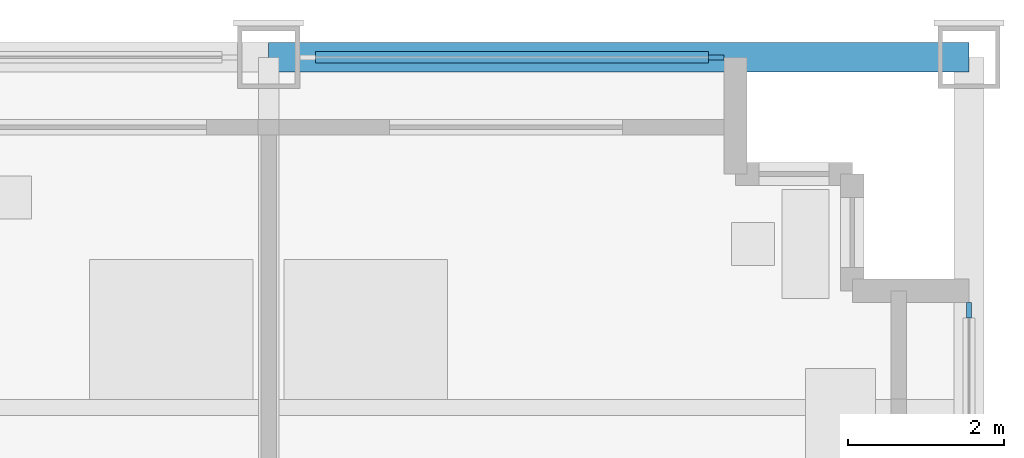
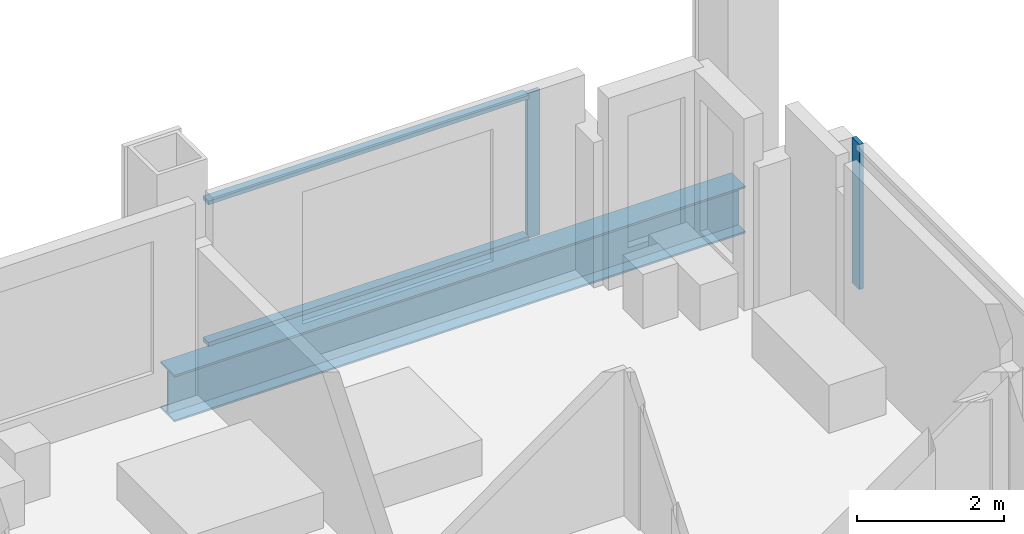
# One storey, part 7 of 16: 4 members, 1 beam, 2 elements without a shape of their own.
"""IFC4 building model written with IfcOpenShell, lengths in metres."""

import ifcopenshell
import ifcopenshell.guid

model = None  # the IFC model being written
_history = None  # IfcOwnerHistory: only IFC2X3 demands one
_inside = {}  # id of a spatial element -> (the spatial element, [elements in it])
_under = {}  # id of a project, library or spatial element -> (it, [spatial elements below it])
_declared = {}  # id of a project -> (the project, [libraries it declares])
_typed = {}  # id of a type object -> (the type object, [elements of that type])
_made_of = {}  # id of a material, layer set ... -> (it, [elements and type objects made of it])


def new_model(schema):
    """Start an empty IFC model of exactly this schema.

    Asked for "IFC4X3", IfcOpenShell would pick the latest addendum, in which some entities
    have other attributes; the version numbers below select the first issue.
    IFC2X3 requires an IfcOwnerHistory on every rooted entity: one is made here for all.
    """
    global model, _history
    if schema == "IFC4X3":
        model = ifcopenshell.file(schema_version=(4, 3, 0, 0))
    else:
        model = ifcopenshell.file(schema=schema)
    _inside.clear()
    _under.clear()
    _declared.clear()
    _typed.clear()
    _made_of.clear()
    _history = None
    if model.schema == "IFC2X3":
        org = make("IfcOrganization", Name="unknown")
        user = make(
            "IfcPersonAndOrganization",
            ThePerson=make("IfcPerson", FamilyName="unknown"),
            TheOrganization=org,
        )
        app = make(
            "IfcApplication",
            ApplicationDeveloper=org,
            Version="unknown",
            ApplicationFullName="unknown",
            ApplicationIdentifier="unknown",
        )
        _history = make(
            "IfcOwnerHistory",
            OwningUser=user,
            OwningApplication=app,
            ChangeAction="ADDED",
            CreationDate=0,
        )
    return model


def make(cls, **values):
    """One entity of the class cls with the attributes given. An attribute that is None is left unset."""
    return model.create_entity(
        cls, **{name: value for name, value in values.items() if value is not None}
    )


def rooted(cls, **values):
    """An entity with a GlobalId (a new one), such as an element, a storey or a relation."""
    return make(cls, GlobalId=ifcopenshell.guid.new(), OwnerHistory=_history, **values)


def si_unit(unit_type, name, prefix=None):
    """IfcSIUnit, for example si_unit("LENGTHUNIT", "METRE", prefix="MILLI")."""
    return make("IfcSIUnit", UnitType=unit_type, Prefix=prefix, Name=name)


def assignment(units):
    """IfcUnitAssignment: the units of a project."""
    return None if units is None else make("IfcUnitAssignment", Units=units)


def point(xyz):
    """IfcCartesianPoint."""
    return None if xyz is None else make("IfcCartesianPoint", Coordinates=xyz)


def direction(xyz):
    """IfcDirection."""
    return None if xyz is None else make("IfcDirection", DirectionRatios=xyz)


def frame(location, z_axis=None, x_axis=None):
    """IfcAxis2Placement3D, a coordinate frame: its origin and axes. An axis left out is left unset."""
    return make(
        "IfcAxis2Placement3D",
        Location=point(location),
        Axis=direction(z_axis),
        RefDirection=direction(x_axis),
    )


def frame_2d(location, x_axis=None):
    """IfcAxis2Placement2D, a coordinate frame in the plane: its origin and x axis."""
    return make(
        "IfcAxis2Placement2D", Location=point(location), RefDirection=direction(x_axis)
    )


def origin():
    """The frame at (0, 0, 0) with its axes left unset."""
    return frame((0.0, 0.0, 0.0))


def origin_2d():
    """The frame at (0, 0) in the plane with its x axis left unset."""
    return frame_2d((0.0, 0.0))


def place(relative_to, where):
    """IfcLocalPlacement: puts the frame where relative to a parent placement (None: the world)."""
    return make(
        "IfcLocalPlacement", PlacementRelTo=relative_to, RelativePlacement=where
    )


def context(
    kind, dimensions, precision=None, world=None, true_north=None, identifier=None
):
    """IfcGeometricRepresentationContext, for example the 3D "Model" context."""
    return make(
        "IfcGeometricRepresentationContext",
        ContextIdentifier=identifier,
        ContextType=kind,
        CoordinateSpaceDimension=dimensions,
        Precision=precision,
        WorldCoordinateSystem=world,
        TrueNorth=true_north,
    )


def subcontext(parent, identifier, kind, view, scale=None):
    """IfcGeometricRepresentationSubContext, for example "Body" below "Model"."""
    return make(
        "IfcGeometricRepresentationSubContext",
        ContextIdentifier=identifier,
        ContextType=kind,
        ParentContext=parent,
        TargetScale=scale,
        TargetView=view,
    )


def project(units=None, contexts=None):
    """IfcProject with its units and contexts."""
    return rooted(
        "IfcProject",
        Name="project",
        RepresentationContexts=contexts,
        UnitsInContext=assignment(units),
    )


def spatial(cls, under=None, at=None, **own):
    """A site, building, storey or space (cls), placed at a placement, below another one or the project."""
    s = rooted(cls, ObjectPlacement=at, **own)
    if under is not None:
        _under.setdefault(under.id(), (under, []))[1].append(s)
    return s


def profile(cls, at=None, kind="AREA", **sizes):
    """A parametric profile (cls). Its sizes go by their IFC names, for example OverallWidth=200.0."""
    return make(cls, ProfileType=kind, Position=at, **sizes)


def rectangle(**sizes):
    """IfcRectangleProfileDef."""
    return profile("IfcRectangleProfileDef", **sizes)


def i_section(**sizes):
    """IfcIShapeProfileDef."""
    return profile("IfcIShapeProfileDef", **sizes)


def extrude(swept, where, along, depth):
    """IfcExtrudedAreaSolid: the profile swept, set in the frame where, extruded along a direction by depth."""
    return make(
        "IfcExtrudedAreaSolid",
        SweptArea=swept,
        Position=where,
        ExtrudedDirection=direction(along),
        Depth=depth,
    )


def shape(context_of_items, identifier, shape_type, items):
    """IfcShapeRepresentation: the items that make up one representation, for example the "Body"."""
    return make(
        "IfcShapeRepresentation",
        ContextOfItems=context_of_items,
        RepresentationIdentifier=identifier,
        RepresentationType=shape_type,
        Items=items,
    )


def material(Name=None, Category=None):
    """IfcMaterial."""
    return make("IfcMaterial", Name=Name, Category=Category)


def material_profile(
    of_material, cross_section, Name=None, Category=None, Priority=None
):
    """IfcMaterialProfile: a cross section and its material."""
    return make(
        "IfcMaterialProfile",
        Name=Name,
        Material=of_material,
        Profile=cross_section,
        Priority=Priority,
        Category=Category,
    )


def profile_set(profiles, Name=None, composite=None):
    """IfcMaterialProfileSet."""
    return make(
        "IfcMaterialProfileSet",
        Name=Name,
        MaterialProfiles=profiles,
        CompositeProfile=composite,
    )


def made_of(thing, what):
    """Note that an element or type object is made of a material, layer set ...; save() writes the relation."""
    if what is not None:
        _made_of.setdefault(what.id(), (what, []))[1].append(thing)
    return thing


def type_object(cls, material=None, **own):
    """A type object (cls), such as IfcWallType, which elements share."""
    return made_of(rooted(cls, **own), material)


def element(
    cls,
    number,
    at=None,
    inside=None,
    cuts=None,
    type_object=None,
    material=None,
    context=None,
    identifier="Body",
    shape_type=None,
    held_by="IfcProductDefinitionShape",
    body=None,
    shapes=None,
    **own,
):
    """One element of the class cls, such as IfcWall. Its Tag is "e" and its number.

    at: its placement. inside: the storey or other place that contains it. cuts: it is an
    opening in that element (IfcRelVoidsElement). A single representation is given by context,
    identifier, shape_type and body (its items); several are given by shapes. held_by: the class
    of the entity that holds the representations. save() writes the other relations.
    """
    e = rooted(cls, Tag="e%d" % number, ObjectPlacement=at, **own)
    if body is not None:
        shapes = [shape(context, identifier, shape_type, body)]
    if shapes is not None:
        e.Representation = make(held_by, Representations=shapes)
    if inside is not None:
        _inside.setdefault(inside.id(), (inside, []))[1].append(e)
    if cuts is not None:
        rooted(
            "IfcRelVoidsElement", RelatingBuildingElement=cuts, RelatedOpeningElement=e
        )
    if type_object is not None:
        _typed.setdefault(type_object.id(), (type_object, []))[1].append(e)
    return made_of(e, material)


def aggregate(whole, parts):
    """IfcRelAggregates: a whole, such as a stair, and the parts it consists of."""
    return rooted("IfcRelAggregates", RelatingObject=whole, RelatedObjects=parts)


def save(model, path):
    """Write the relations noted so far, then the file.

    IfcRelAggregates (storeys below a building ...), IfcRelContainedInSpatialStructure (elements
    in a storey), IfcRelDefinesByType, IfcRelAssociatesMaterial and IfcRelDeclares: one each for
    every whole, place, type object, material and project.
    """
    for whole, parts in _under.values():
        aggregate(whole, parts)
    for where, things in _inside.values():
        rooted(
            "IfcRelContainedInSpatialStructure",
            RelatedElements=things,
            RelatingStructure=where,
        )
    for kind, things in _typed.values():
        rooted("IfcRelDefinesByType", RelatedObjects=things, RelatingType=kind)
    for what, things in _made_of.values():
        rooted("IfcRelAssociatesMaterial", RelatedObjects=things, RelatingMaterial=what)
    for by, libraries in _declared.values():
        rooted("IfcRelDeclares", RelatingContext=by, RelatedDefinitions=libraries)
    model.write(path)


model = new_model("IFC4")

# Units and contexts
model_context = context("Model", 3, precision=1e-05, world=origin(), true_north=direction((0.0, 1.0)))
body_context = subcontext(model_context, "Body", "Model", "MODEL_VIEW")
ifc_project = project(units=[si_unit("LENGTHUNIT", "METRE"), si_unit("AREAUNIT", "SQUARE_METRE"), si_unit("VOLUMEUNIT", "CUBIC_METRE"), si_unit("PLANEANGLEUNIT", "RADIAN"), si_unit("MASSUNIT", "GRAM", prefix="KILO")], contexts=[model_context])

# Site, building, storey
site_placement = place(None, origin())
site = spatial("IfcSite", under=ifc_project, at=site_placement, CompositionType="ELEMENT")
building_placement = place(site_placement, origin())
building = spatial("IfcBuilding", under=site, at=building_placement, Name="Loomwork Tower", CompositionType="ELEMENT")
storey_placement = place(building_placement, frame((0.0, 0.0, 148.60009765625)))
storey = spatial("IfcBuildingStorey", under=building, at=storey_placement, Name="L40", CompositionType="ELEMENT", Elevation=148.60009765625)

# Curtain wall, member
ifc_material_1 = material(Name="Aluminium curtain wall frame", Category="aluminium")
curtain_wall_type = type_object("IfcCurtainWallType", Name="Outer skin glazing hotel", PredefinedType="NOTDEFINED", material=ifc_material_1)
curtain_wall_1_placement = place(storey_placement, origin())
curtain_wall_1 = element("IfcCurtainWall", 1, at=curtain_wall_1_placement, inside=storey, type_object=curtain_wall_type, Name="Outer skin glazing hotel cw/N-36", PredefinedType="NOTDEFINED")
ifc_material_2 = material(Name="Aluminium curtain wall frame", Category="aluminium")
ifc_material_profile_1 = material_profile(ifc_material_2, rectangle(XDim=0.06494140625, YDim=0.199951171875, at=origin_2d()), Name="AL 65x200")
ifc_profile_set_1 = profile_set([ifc_material_profile_1], Name="Aluminium curtain wall frame")
member_type_1 = type_object("IfcMemberType", Name="Outer skin glazing hotel mullion", PredefinedType="MULLION", material=ifc_profile_set_1)
member_1_placement = place(storey_placement, frame((41.75, 36.0, 0.0), z_axis=(0.0, 0.0, 1.0), x_axis=(0.0, -1.0, 0.0)))
member_1 = element("IfcMember", 2, at=member_1_placement, type_object=member_type_1, Name="CW1 mullion 1", PredefinedType="MULLION", context=body_context, shape_type="SweptSolid", body=[
    extrude(rectangle(XDim=0.06494140625, YDim=0.199951171875, at=origin_2d()), origin(), (0.0, 0.0, 1.0), 2.420166015625),
])

curtain_wall_2_placement = place(storey_placement, origin())
curtain_wall_2 = element("IfcCurtainWall", 3, at=curtain_wall_2_placement, inside=storey, type_object=curtain_wall_type, Name="Outer skin glazing hotel cw/E-27", PredefinedType="NOTDEFINED")
member_2_placement = place(storey_placement, frame((45.0, 32.75, 0.0), z_axis=(0.0, 0.0, 1.0), x_axis=(-1.0, 0.0, 0.0)))
member_2 = element("IfcMember", 4, at=member_2_placement, type_object=member_type_1, Name="CW1 mullion 2", PredefinedType="MULLION", context=body_context, shape_type="SweptSolid", body=[
    extrude(rectangle(XDim=0.06494140625, YDim=0.199951171875, at=origin_2d()), origin(), (0.0, 0.0, 1.0), 2.420166015625),
])
aggregate(curtain_wall_2, [member_2])

# Member
ifc_material_3 = material(Name="Aluminium curtain wall frame", Category="aluminium")
ifc_material_profile_2 = material_profile(ifc_material_3, rectangle(XDim=0.14990234375, YDim=0.06494140625, at=origin_2d()), Name="AL 65x150")
ifc_profile_set_2 = profile_set([ifc_material_profile_2], Name="Aluminium curtain wall frame")
member_type_2 = type_object("IfcMemberType", Name="Outer skin glazing hotel transom", PredefinedType="USERDEFINED", material=ifc_profile_set_2)
member_3_placement = place(storey_placement, frame((41.64990234375, 36.0, 0.032470703125), z_axis=(-1.0, 0.0, 0.0), x_axis=(0.0, -1.0, 0.0)))
member_3 = element("IfcMember", 5, at=member_3_placement, type_object=member_type_2, Name="CW1 transom 1.1", ObjectType="TRANSOM", PredefinedType="USERDEFINED", context=body_context, shape_type="SweptSolid", body=[
    extrude(rectangle(XDim=0.14990234375, YDim=0.06494140625, at=origin_2d()), origin(), (0.0, 0.0, 1.0), 5.0498046875),
])

member_4_placement = place(storey_placement, frame((41.64990234375, 36.0, 2.3876953125), z_axis=(-1.0, 0.0, 0.0), x_axis=(0.0, -1.0, 0.0)))
member_4 = element("IfcMember", 6, at=member_4_placement, type_object=member_type_2, Name="CW1 transom 1.2", ObjectType="TRANSOM", PredefinedType="USERDEFINED", context=body_context, shape_type="SweptSolid", body=[
    extrude(rectangle(XDim=0.14990234375, YDim=0.06494140625, at=origin_2d()), origin(), (0.0, 0.0, 1.0), 5.0498046875),
])

aggregate(curtain_wall_1, [member_1, member_3, member_4])

# Beam
ifc_material_4 = material(Name="Steel ASTM A992", Category="steel")
ifc_material_profile_3 = material_profile(ifc_material_4, i_section(OverallWidth=0.381103515625, OverallDepth=0.77978515625, WebThickness=0.01806640625, FlangeThickness=0.0302734375, at=origin_2d()), Name="W30x191")
ifc_profile_set_3 = profile_set([ifc_material_profile_3], Name="Steel ASTM A992")
beam_type = type_object("IfcBeamType", Name="SPANDREL GIRDER W30x191", PredefinedType="SPANDREL", material=ifc_profile_set_3)
beam_placement = place(storey_placement, frame((36.0, 36.0, -0.590087890625), z_axis=(1.0, 0.0, 0.0), x_axis=(0.0, 1.0, 0.0)))
element("IfcBeam", 7, at=beam_placement, inside=storey, type_object=beam_type, Name="Spandrel Girder H/6-H/7 L40", PredefinedType="SPANDREL", context=body_context, shape_type="SweptSolid", body=[
    extrude(i_section(OverallWidth=0.381103515625, OverallDepth=0.77978515625, WebThickness=0.01806640625, FlangeThickness=0.0302734375, at=origin_2d()), origin(), (0.0, 0.0, 1.0), 9.0),
])

save(model, "model.ifc")
